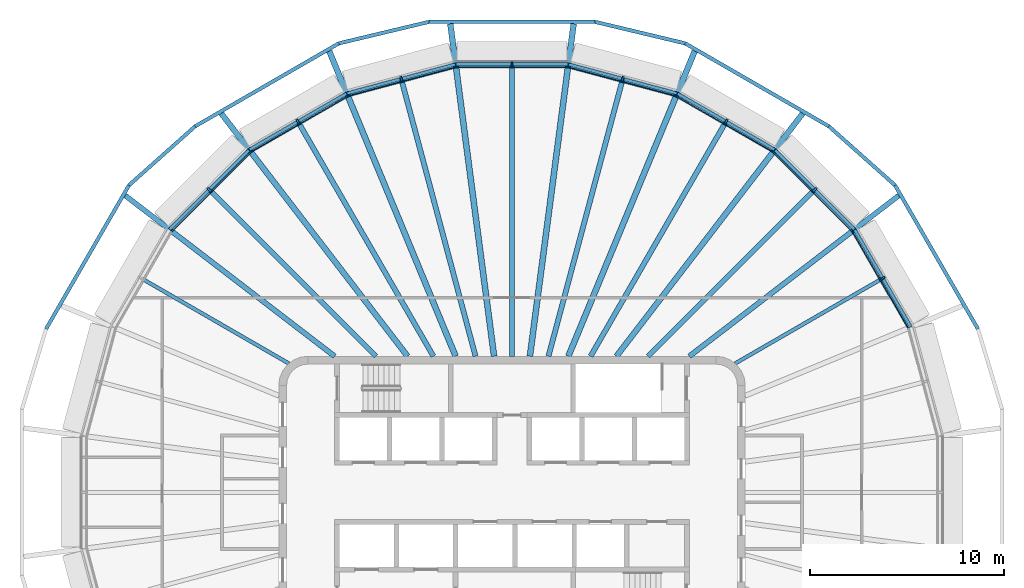
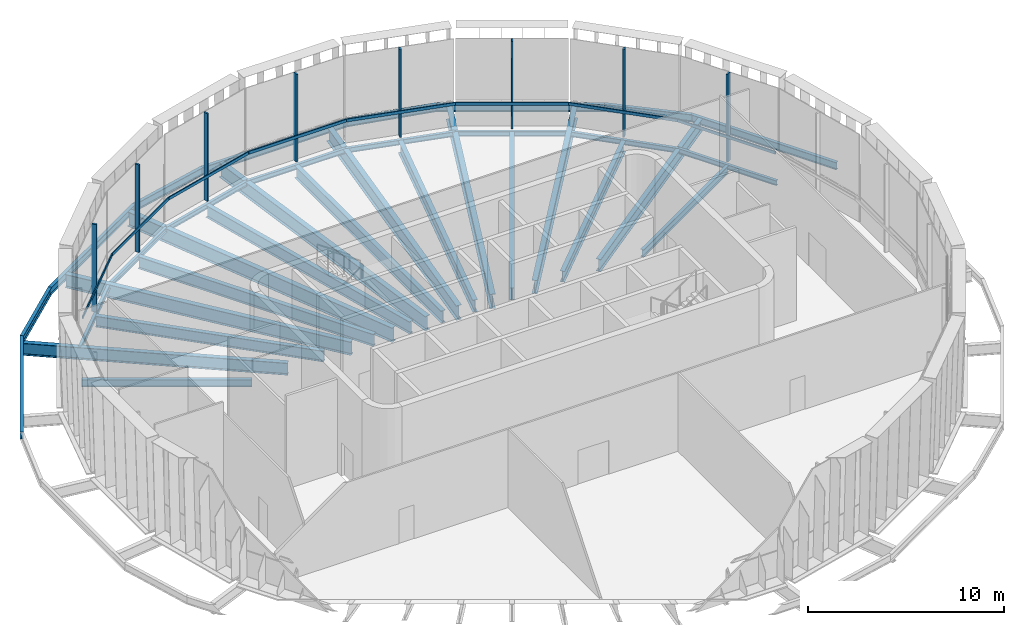
# One storey, part 4 of 14: 34 beams, 16 members, 8 elements without a shape of their own.
"""IFC4 building model written with IfcOpenShell, lengths in metres."""

from ifc_helpers import new_model, si_unit, direction, frame, origin, origin_2d, place, context, subcontext, project, spatial, rectangle, i_section, extrude, material, layer, layer_set, material_profile, profile_set, type_object, element, aggregate, save


model = new_model("IFC4")

# Units and contexts
model_context = context("Model", 3, precision=1e-05, world=origin(), true_north=direction((0.0, 1.0)))
body_context = subcontext(model_context, "Body", "Model", "MODEL_VIEW")
ifc_project = project(units=[si_unit("LENGTHUNIT", "METRE"), si_unit("AREAUNIT", "SQUARE_METRE"), si_unit("VOLUMEUNIT", "CUBIC_METRE"), si_unit("PLANEANGLEUNIT", "RADIAN"), si_unit("MASSUNIT", "GRAM", prefix="KILO")], contexts=[model_context])

# Site, building, storey
site_placement = place(None, origin())
site = spatial("IfcSite", under=ifc_project, at=site_placement, CompositionType="ELEMENT")
building_placement = place(site_placement, origin())
building = spatial("IfcBuilding", under=site, at=building_placement, Name="Sahrelin Media Tower", CompositionType="ELEMENT")
storey_placement = place(building_placement, frame((0.0, 0.0, 329.800048828125)))
storey = spatial("IfcBuildingStorey", under=building, at=storey_placement, Name="L73", CompositionType="ELEMENT", Elevation=329.800048828125)

# Beams
ifc_material_1 = material(Name="Steel S355", Category="steel")
ifc_material_profile_1 = material_profile(ifc_material_1, i_section(OverallWidth=0.1650390625, OverallDepth=0.303466796875, WebThickness=0.006103515625, FlangeThickness=0.01025390625, FilletRadius=0.0087890625, at=origin_2d()), Name="UB 305x165x40")
ifc_profile_set_1 = profile_set([ifc_material_profile_1], Name="Steel S355")
beam_type_1 = type_object("IfcBeamType", Name="Edge beam EB2", PredefinedType="BEAM", material=ifc_profile_set_1)
beam_1_placement = place(storey_placement, frame((-17.61083984375, 13.531494140625, -0.351806640625), z_axis=(0.707106781187, 0.707106781187, 0.0), x_axis=(-0.707106781187, 0.707106781187, 0.0)))
element("IfcBeam", 1, at=beam_1_placement, inside=storey, type_object=beam_type_1, Name="Edge beam L73-16", PredefinedType="BEAM", context=body_context, shape_type="SweptSolid", body=[
    extrude(i_section(OverallWidth=0.1650390625, OverallDepth=0.303466796875, WebThickness=0.006103515625, FlangeThickness=0.01025390625, FilletRadius=0.0087890625, at=origin_2d()), origin(), (0.0, 0.0, 1.0), 5.76904296875),
])
beam_2_placement = place(storey_placement, frame((-13.508544921875, 17.62841796875, -0.351806640625), z_axis=(0.866034075723, 0.499984979461, 0.0), x_axis=(-0.499984979461, 0.866034075723, 0.0)))
element("IfcBeam", 2, at=beam_2_placement, inside=storey, type_object=beam_type_1, Name="Edge beam L73-17", PredefinedType="BEAM", context=body_context, shape_type="SweptSolid", body=[
    extrude(i_section(OverallWidth=0.1650390625, OverallDepth=0.303466796875, WebThickness=0.006103515625, FlangeThickness=0.01025390625, FilletRadius=0.0087890625, at=origin_2d()), origin(), (0.0, 0.0, 1.0), 5.769287109375),
])
for number, where, z_axis, x_axis, name in (
    (3, (-8.485595703125, 20.52392578125, -0.351806640625), (0.965925194861, 0.258821401611, 0.0), (-0.258821401611, 0.965925194861, 0.0), "Edge beam L73-18"),
    (4, (-2.884521484375, 22.020751953125, -0.351806640625), (1.0, 0.0, 0.0), (0.0, 1.0, 0.0), "Edge beam L73-19"),
    (5, (2.9130859375, 22.01708984375, -0.351806640625), (0.965925194861, -0.258821401611, 0.0), (0.258821401611, 0.965925194861, 0.0), "Edge beam L73-20"),
):
    element("IfcBeam", number, at=place(storey_placement, frame(where, z_axis=z_axis, x_axis=x_axis)), inside=storey, type_object=beam_type_1, Name=name, PredefinedType="BEAM", context=body_context, shape_type="SweptSolid", body=[
        extrude(i_section(OverallWidth=0.1650390625, OverallDepth=0.303466796875, WebThickness=0.006103515625, FlangeThickness=0.01025390625, FilletRadius=0.0087890625, at=origin_2d()), origin(), (0.0, 0.0, 1.0), 5.76904296875),
    ])
beam_3_placement = place(storey_placement, frame((8.51220703125, 20.512939453125, -0.351806640625), z_axis=(0.866034075723, -0.499984979461, 0.0), x_axis=(0.499984979461, 0.866034075723, 0.0)))
element("IfcBeam", 6, at=beam_3_placement, inside=storey, type_object=beam_type_1, Name="Edge beam L73-21", PredefinedType="BEAM", context=body_context, shape_type="SweptSolid", body=[
    extrude(i_section(OverallWidth=0.1650390625, OverallDepth=0.303466796875, WebThickness=0.006103515625, FlangeThickness=0.01025390625, FilletRadius=0.0087890625, at=origin_2d()), origin(), (0.0, 0.0, 1.0), 5.769287109375),
])
beam_4_placement = place(storey_placement, frame((13.531494140625, 17.61083984375, -0.351806640625), z_axis=(0.707106781187, -0.707106781187, 0.0), x_axis=(0.707106781187, 0.707106781187, 0.0)))
element("IfcBeam", 7, at=beam_4_placement, inside=storey, type_object=beam_type_1, Name="Edge beam L73-22", PredefinedType="BEAM", context=body_context, shape_type="SweptSolid", body=[
    extrude(i_section(OverallWidth=0.1650390625, OverallDepth=0.303466796875, WebThickness=0.006103515625, FlangeThickness=0.01025390625, FilletRadius=0.0087890625, at=origin_2d()), origin(), (0.0, 0.0, 1.0), 5.76904296875),
])
beam_5_placement = place(storey_placement, frame((17.62841796875, 13.508544921875, -0.351806640625), z_axis=(0.499984979461, -0.866034075723, 0.0), x_axis=(0.866034075723, 0.499984979461, 0.0)))
element("IfcBeam", 8, at=beam_5_placement, inside=storey, type_object=beam_type_1, Name="Edge beam L73-23", PredefinedType="BEAM", context=body_context, shape_type="SweptSolid", body=[
    extrude(i_section(OverallWidth=0.1650390625, OverallDepth=0.303466796875, WebThickness=0.006103515625, FlangeThickness=0.01025390625, FilletRadius=0.0087890625, at=origin_2d()), origin(), (0.0, 0.0, 1.0), 5.769287109375),
])

# Curtain wall, member
ifc_material_2 = material(Name="Champagne anodised aluminium 6063-T6", Category="aluminium")
ifc_layer = layer(ifc_material_2, 0.14990234375)
ifc_layer_set = layer_set([ifc_layer], Name="Observation curtain wall")
curtain_wall_type = type_object("IfcCurtainWallType", Name="Observation curtain wall", PredefinedType="NOTDEFINED", material=ifc_layer_set)
curtain_wall_1_placement = place(storey_placement, frame((19.200439453125, 11.08544921875, 0.0), z_axis=(0.0, 0.0, 1.0), x_axis=(1.0, 0.0, 0.0)))
curtain_wall_1 = element("IfcCurtainWall", 9, at=curtain_wall_1_placement, inside=storey, type_object=curtain_wall_type, Name="L73:CW:L73-02", PredefinedType="NOTDEFINED")
ifc_material_profile_2 = material_profile(ifc_material_2, rectangle(XDim=0.10009765625, YDim=0.25, at=origin_2d()), Name="Mullion 100x250")
ifc_profile_set_2 = profile_set([ifc_material_profile_2], Name="Champagne anodised aluminium 6063-T6")
member_type_1 = type_object("IfcMemberType", Name="Mullion 100x250 CW3B", PredefinedType="MULLION", material=ifc_profile_set_2)
member_1_placement = place(storey_placement, frame((19.074951171875, 11.012939453125, 0.0), z_axis=(0.0, 0.0, 1.0), x_axis=(-0.49999395399, 0.866028894422, 0.0)))
member_1 = element("IfcMember", 10, at=member_1_placement, type_object=member_type_1, Name="L73:CWM:L73-02", PredefinedType="MULLION", context=body_context, shape_type="SweptSolid", body=[
    extrude(rectangle(XDim=0.10009765625, YDim=0.25, at=origin_2d()), origin(), (0.0, 0.0, 1.0), 5.448486328125),
])

curtain_wall_2_placement = place(storey_placement, frame((15.67724609375, 15.67724609375, 0.0), z_axis=(0.0, 0.0, 1.0), x_axis=(1.0, 0.0, 0.0)))
curtain_wall_2 = element("IfcCurtainWall", 11, at=curtain_wall_2_placement, inside=storey, type_object=curtain_wall_type, Name="L73:CW:L73-03", PredefinedType="NOTDEFINED")
member_2_placement = place(storey_placement, frame((15.57470703125, 15.57470703125, 0.0), z_axis=(0.0, 0.0, 1.0), x_axis=(-0.707106781187, 0.707106781187, 0.0)))
member_2 = element("IfcMember", 12, at=member_2_placement, type_object=member_type_1, Name="L73:CWM:L73-03", PredefinedType="MULLION", context=body_context, shape_type="SweptSolid", body=[
    extrude(rectangle(XDim=0.10009765625, YDim=0.25, at=origin_2d()), origin(), (0.0, 0.0, 1.0), 5.448486328125),
])

curtain_wall_3_placement = place(storey_placement, frame((11.08544921875, 19.200439453125, 0.0), z_axis=(0.0, 0.0, 1.0), x_axis=(1.0, 0.0, 0.0)))
curtain_wall_3 = element("IfcCurtainWall", 13, at=curtain_wall_3_placement, inside=storey, type_object=curtain_wall_type, Name="L73:CW:L73-04", PredefinedType="NOTDEFINED")
member_3_placement = place(storey_placement, frame((11.012939453125, 19.074951171875, 0.0), z_axis=(0.0, 0.0, 1.0), x_axis=(-0.866028894422, 0.49999395399, 0.0)))
member_3 = element("IfcMember", 14, at=member_3_placement, type_object=member_type_1, Name="L73:CWM:L73-04", PredefinedType="MULLION", context=body_context, shape_type="SweptSolid", body=[
    extrude(rectangle(XDim=0.10009765625, YDim=0.25, at=origin_2d()), origin(), (0.0, 0.0, 1.0), 5.448486328125),
])

curtain_wall_4_placement = place(storey_placement, frame((5.73828125, 21.415283203125, 0.0), z_axis=(0.0, 0.0, 1.0), x_axis=(1.0, 0.0, 0.0)))
curtain_wall_4 = element("IfcCurtainWall", 15, at=curtain_wall_4_placement, inside=storey, type_object=curtain_wall_type, Name="L73:CW:L73-05", PredefinedType="NOTDEFINED")
member_4_placement = place(storey_placement, frame((5.70068359375, 21.275390625, 0.0), z_axis=(0.0, 0.0, 1.0), x_axis=(-0.965926278012, 0.258817359244, 0.0)))
member_4 = element("IfcMember", 16, at=member_4_placement, type_object=member_type_1, Name="L73:CWM:L73-05", PredefinedType="MULLION", context=body_context, shape_type="SweptSolid", body=[
    extrude(rectangle(XDim=0.10009765625, YDim=0.25, at=origin_2d()), origin(), (0.0, 0.0, 1.0), 5.448486328125),
])

curtain_wall_5_placement = place(storey_placement, frame((0.0, 22.1708984375, 0.0), z_axis=(0.0, 0.0, 1.0), x_axis=(1.0, 0.0, 0.0)))
curtain_wall_5 = element("IfcCurtainWall", 17, at=curtain_wall_5_placement, inside=storey, type_object=curtain_wall_type, Name="L73:CW:L73-06", PredefinedType="NOTDEFINED")
member_5_placement = place(storey_placement, frame((0.0, 22.02587890625, 0.0), z_axis=(0.0, 0.0, 1.0), x_axis=(-1.0, 0.0, 0.0)))
member_5 = element("IfcMember", 18, at=member_5_placement, type_object=member_type_1, Name="L73:CWM:L73-06", PredefinedType="MULLION", context=body_context, shape_type="SweptSolid", body=[
    extrude(rectangle(XDim=0.10009765625, YDim=0.25, at=origin_2d()), origin(), (0.0, 0.0, 1.0), 5.448486328125),
])

curtain_wall_6_placement = place(storey_placement, frame((-5.73828125, 21.415283203125, 0.0), z_axis=(0.0, 0.0, 1.0), x_axis=(1.0, 0.0, 0.0)))
curtain_wall_6 = element("IfcCurtainWall", 19, at=curtain_wall_6_placement, inside=storey, type_object=curtain_wall_type, Name="L73:CW:L73-07", PredefinedType="NOTDEFINED")
member_6_placement = place(storey_placement, frame((-5.70068359375, 21.275390625, 0.0), z_axis=(0.0, 0.0, 1.0), x_axis=(-0.965926278012, -0.258817359244, 0.0)))
member_6 = element("IfcMember", 20, at=member_6_placement, type_object=member_type_1, Name="L73:CWM:L73-07", PredefinedType="MULLION", context=body_context, shape_type="SweptSolid", body=[
    extrude(rectangle(XDim=0.10009765625, YDim=0.25, at=origin_2d()), origin(), (0.0, 0.0, 1.0), 5.448486328125),
])

curtain_wall_7_placement = place(storey_placement, frame((-11.08544921875, 19.200439453125, 0.0), z_axis=(0.0, 0.0, 1.0), x_axis=(1.0, 0.0, 0.0)))
curtain_wall_7 = element("IfcCurtainWall", 21, at=curtain_wall_7_placement, inside=storey, type_object=curtain_wall_type, Name="L73:CW:L73-08", PredefinedType="NOTDEFINED")
member_7_placement = place(storey_placement, frame((-11.012939453125, 19.074951171875, 0.0), z_axis=(0.0, 0.0, 1.0), x_axis=(-0.866028894422, -0.49999395399, 0.0)))
member_7 = element("IfcMember", 22, at=member_7_placement, type_object=member_type_1, Name="L73:CWM:L73-08", PredefinedType="MULLION", context=body_context, shape_type="SweptSolid", body=[
    extrude(rectangle(XDim=0.10009765625, YDim=0.25, at=origin_2d()), origin(), (0.0, 0.0, 1.0), 5.448486328125),
])

curtain_wall_8_placement = place(storey_placement, frame((-15.677001953125, 15.677001953125, 0.0), z_axis=(0.0, 0.0, 1.0), x_axis=(1.0, 0.0, 0.0)))
curtain_wall_8 = element("IfcCurtainWall", 23, at=curtain_wall_8_placement, inside=storey, type_object=curtain_wall_type, Name="L73:CW:L73-09", PredefinedType="NOTDEFINED")
member_8_placement = place(storey_placement, frame((-15.57470703125, 15.57470703125, 0.0), z_axis=(0.0, 0.0, 1.0), x_axis=(-0.707106781187, -0.707106781187, 0.0)))
member_8 = element("IfcMember", 24, at=member_8_placement, type_object=member_type_1, Name="L73:CWM:L73-09", PredefinedType="MULLION", context=body_context, shape_type="SweptSolid", body=[
    extrude(rectangle(XDim=0.10009765625, YDim=0.25, at=origin_2d()), origin(), (0.0, 0.0, 1.0), 5.448486328125),
])

# Beams
ifc_material_profile_3 = material_profile(ifc_material_1, i_section(OverallWidth=0.291748046875, OverallDepth=0.8349609375, WebThickness=0.013916015625, FlangeThickness=0.018798828125, FilletRadius=0.017822265625, at=origin_2d()), Name="UB 838x292x176")
ifc_profile_set_3 = profile_set([ifc_material_profile_3], Name="Steel S355")
beam_type_2 = type_object("IfcBeamType", Name="Radial primary beam PB10", PredefinedType="BEAM", material=ifc_profile_set_3)
for number, where, z_axis, x_axis, name in (
    (25, (5.371337890625, 7.0, -0.617431640625), (0.60875594027, 0.793357551919, 0.0), (-0.793357551919, 0.60875594027, 0.0), "Radial beam L73-04"),
    (26, (-5.371337890625, 7.0, -0.617431640625), (-0.60875594027, 0.793357551919, 0.0), (-0.793357551919, -0.60875594027, 0.0), "Radial beam L73-09"),
):
    element("IfcBeam", number, at=place(storey_placement, frame(where, z_axis=z_axis, x_axis=x_axis)), inside=storey, type_object=beam_type_2, Name=name, PredefinedType="BEAM", context=body_context, shape_type="SweptSolid", body=[
        extrude(i_section(OverallWidth=0.291748046875, OverallDepth=0.8349609375, WebThickness=0.013916015625, FlangeThickness=0.018798828125, FilletRadius=0.017822265625, at=origin_2d()), origin(), (0.0, 0.0, 1.0), 15.75),
    ])
ifc_material_profile_4 = material_profile(ifc_material_1, i_section(OverallWidth=0.30322265625, OverallDepth=0.903076171875, WebThickness=0.01513671875, FlangeThickness=0.020263671875, FilletRadius=0.01904296875, at=origin_2d()), Name="UB 914x305x201")
ifc_profile_set_4 = profile_set([ifc_material_profile_4], Name="Steel S355")
beam_type_3 = type_object("IfcBeamType", Name="Radial primary beam PB11", PredefinedType="BEAM", material=ifc_profile_set_4)
beam_6_placement = place(storey_placement, frame((2.8994140625, 7.0, -0.651611328125), z_axis=(0.382685858482, 0.923878527577, 0.0), x_axis=(-0.923878527577, 0.382685858482, 0.0)))
element("IfcBeam", 27, at=beam_6_placement, inside=storey, type_object=beam_type_3, Name="Radial beam L73-05", PredefinedType="BEAM", context=body_context, shape_type="SweptSolid", body=[
    extrude(i_section(OverallWidth=0.30322265625, OverallDepth=0.903076171875, WebThickness=0.01513671875, FlangeThickness=0.020263671875, FilletRadius=0.01904296875, at=origin_2d()), origin(), (0.0, 0.0, 1.0), 16.99658203125),
])
for number, where, z_axis, x_axis, name in (
    (28, (0.921630859375, 7.0, -0.651611328125), (0.130517821133, 0.991445963412, 0.0), (-0.991445963412, 0.130517821133, 0.0), "Radial beam L73-06"),
    (29, (-0.921630859375, 7.0, -0.651611328125), (-0.130517821133, 0.991445963412, 0.0), (-0.991445963412, -0.130517821133, 0.0), "Radial beam L73-07"),
):
    element("IfcBeam", number, at=place(storey_placement, frame(where, z_axis=z_axis, x_axis=x_axis)), inside=storey, type_object=beam_type_3, Name=name, PredefinedType="BEAM", context=body_context, shape_type="SweptSolid", body=[
        extrude(i_section(OverallWidth=0.30322265625, OverallDepth=0.903076171875, WebThickness=0.01513671875, FlangeThickness=0.020263671875, FilletRadius=0.01904296875, at=origin_2d()), origin(), (0.0, 0.0, 1.0), 17.2578125),
    ])
beam_7_placement = place(storey_placement, frame((-2.8994140625, 7.0, -0.651611328125), z_axis=(-0.382685858482, 0.923878527577, 0.0), x_axis=(-0.923878527577, -0.382685858482, 0.0)))
element("IfcBeam", 30, at=beam_7_placement, inside=storey, type_object=beam_type_3, Name="Radial beam L73-08", PredefinedType="BEAM", context=body_context, shape_type="SweptSolid", body=[
    extrude(i_section(OverallWidth=0.30322265625, OverallDepth=0.903076171875, WebThickness=0.01513671875, FlangeThickness=0.020263671875, FilletRadius=0.01904296875, at=origin_2d()), origin(), (0.0, 0.0, 1.0), 16.99658203125),
])
ifc_material_profile_5 = material_profile(ifc_material_1, i_section(OverallWidth=0.26513671875, OverallDepth=0.75390625, WebThickness=0.0126953125, FlangeThickness=0.017578125, FilletRadius=0.0166015625, at=origin_2d()), Name="UB 762x267x147")
ifc_profile_set_5 = profile_set([ifc_material_profile_5], Name="Steel S355")
beam_type_4 = type_object("IfcBeamType", Name="Radial primary beam PB9", PredefinedType="BEAM", material=ifc_profile_set_5)
for number, where, z_axis, x_axis, name in (
    (31, (9.12255859375, 7.0, -0.5771484375), (0.793356961432, 0.608756709817, 0.0), (-0.608756709817, 0.793356961432, 0.0), "Radial beam L73-03"),
    (32, (-9.12255859375, 7.0, -0.5771484375), (-0.793356961432, 0.608756709817, 0.0), (-0.608756709817, -0.793356961432, 0.0), "Radial beam L73-10"),
):
    element("IfcBeam", number, at=place(storey_placement, frame(where, z_axis=z_axis, x_axis=x_axis)), inside=storey, type_object=beam_type_4, Name=name, PredefinedType="BEAM", context=body_context, shape_type="SweptSolid", body=[
        extrude(i_section(OverallWidth=0.26513671875, OverallDepth=0.75390625, WebThickness=0.0126953125, FlangeThickness=0.017578125, FilletRadius=0.0166015625, at=origin_2d()), origin(), (0.0, 0.0, 1.0), 13.585205078125),
    ])
ifc_material_profile_6 = material_profile(ifc_material_1, i_section(OverallWidth=0.1904296875, OverallDepth=0.45703125, WebThickness=0.009033203125, FlangeThickness=0.014404296875, FilletRadius=0.01025390625, at=origin_2d()), Name="UB 457x191x74")
ifc_profile_set_6 = profile_set([ifc_material_profile_6], Name="Steel S355")
beam_type_5 = type_object("IfcBeamType", Name="Radial secondary beam SB5", PredefinedType="BEAM", material=ifc_profile_set_6)
for number, where, z_axis, x_axis, name in (
    (33, (11.47607421875, 6.625732421875, -0.428466796875), (0.866038163853, 0.499977898262, 0.0), (-0.499977898262, 0.866038163853, 0.0), "Secondary beam L73-02"),
    (34, (-11.47607421875, 6.625732421875, -0.428466796875), (-0.866038163853, 0.499977898262, 0.0), (-0.499977898262, -0.866038163853, 0.0), "Secondary beam L73-10"),
):
    element("IfcBeam", number, at=place(storey_placement, frame(where, z_axis=z_axis, x_axis=x_axis)), inside=storey, type_object=beam_type_5, Name=name, PredefinedType="BEAM", context=body_context, shape_type="SweptSolid", body=[
        extrude(i_section(OverallWidth=0.1904296875, OverallDepth=0.45703125, WebThickness=0.009033203125, FlangeThickness=0.014404296875, FilletRadius=0.01025390625, at=origin_2d()), origin(), (0.0, 0.0, 1.0), 8.68701171875),
    ])
ifc_material_profile_7 = material_profile(ifc_material_1, i_section(OverallWidth=0.2529296875, OverallDepth=0.677978515625, WebThickness=0.01171875, FlangeThickness=0.01611328125, FilletRadius=0.01513671875, at=origin_2d()), Name="UB 686x254x125")
ifc_profile_set_7 = profile_set([ifc_material_profile_7], Name="Steel S355")
beam_type_6 = type_object("IfcBeamType", Name="Radial secondary beam SB8", PredefinedType="BEAM", material=ifc_profile_set_7)
for number, where, z_axis, x_axis, name in (
    (35, (7.0, 7.0, -0.5390625), (0.707106781187, 0.707106781187, 0.0), (-0.707106781187, 0.707106781187, 0.0), "Secondary beam L73-03"),
    (36, (-7.0, 7.0, -0.5390625), (-0.707106781187, 0.707106781187, 0.0), (-0.707106781187, -0.707106781187, 0.0), "Secondary beam L73-09"),
):
    element("IfcBeam", number, at=place(storey_placement, frame(where, z_axis=z_axis, x_axis=x_axis)), inside=storey, type_object=beam_type_6, Name=name, PredefinedType="BEAM", context=body_context, shape_type="SweptSolid", body=[
        extrude(i_section(OverallWidth=0.2529296875, OverallDepth=0.677978515625, WebThickness=0.01171875, FlangeThickness=0.01611328125, FilletRadius=0.01513671875, at=origin_2d()), origin(), (0.0, 0.0, 1.0), 12.038818359375),
    ])
ifc_material_profile_8 = material_profile(ifc_material_1, i_section(OverallWidth=0.26513671875, OverallDepth=0.75390625, WebThickness=0.0126953125, FlangeThickness=0.017578125, FilletRadius=0.0166015625, at=origin_2d()), Name="UB 762x267x147")
ifc_profile_set_8 = profile_set([ifc_material_profile_8], Name="Steel S355")
beam_type_7 = type_object("IfcBeamType", Name="Radial secondary beam SB9", PredefinedType="BEAM", material=ifc_profile_set_8)
beam_8_placement = place(storey_placement, frame((4.04150390625, 7.0, -0.5771484375), z_axis=(0.499984294943, 0.866034470913, 0.0), x_axis=(-0.866034470913, 0.499984294943, 0.0)))
element("IfcBeam", 37, at=beam_8_placement, inside=storey, type_object=beam_type_7, Name="Secondary beam L73-04", PredefinedType="BEAM", context=body_context, shape_type="SweptSolid", body=[
    extrude(i_section(OverallWidth=0.26513671875, OverallDepth=0.75390625, WebThickness=0.0126953125, FlangeThickness=0.017578125, FilletRadius=0.0166015625, at=origin_2d()), origin(), (0.0, 0.0, 1.0), 13.85546875),
])
beam_9_placement = place(storey_placement, frame((1.87548828125, 7.0, -0.5771484375), z_axis=(0.258821917185, 0.965925056712, 0.0), x_axis=(-0.965925056712, 0.258821917185, 0.0)))
element("IfcBeam", 38, at=beam_9_placement, inside=storey, type_object=beam_type_7, Name="Secondary beam L73-05", PredefinedType="BEAM", context=body_context, shape_type="SweptSolid", body=[
    extrude(i_section(OverallWidth=0.26513671875, OverallDepth=0.75390625, WebThickness=0.0126953125, FlangeThickness=0.017578125, FilletRadius=0.0166015625, at=origin_2d()), origin(), (0.0, 0.0, 1.0), 14.691650390625),
])
beam_10_placement = place(storey_placement, frame((0.0, 7.0, -0.5771484375), z_axis=(0.0, 1.0, 0.0), x_axis=(-1.0, 0.0, 0.0)))
element("IfcBeam", 39, at=beam_10_placement, inside=storey, type_object=beam_type_7, Name="Secondary beam L73-06", PredefinedType="BEAM", context=body_context, shape_type="SweptSolid", body=[
    extrude(i_section(OverallWidth=0.26513671875, OverallDepth=0.75390625, WebThickness=0.0126953125, FlangeThickness=0.017578125, FilletRadius=0.0166015625, at=origin_2d()), origin(), (0.0, 0.0, 1.0), 14.938232421875),
])
beam_11_placement = place(storey_placement, frame((-1.87548828125, 7.0, -0.5771484375), z_axis=(-0.258821917185, 0.965925056712, 0.0), x_axis=(-0.965925056712, -0.258821917185, 0.0)))
element("IfcBeam", 40, at=beam_11_placement, inside=storey, type_object=beam_type_7, Name="Secondary beam L73-07", PredefinedType="BEAM", context=body_context, shape_type="SweptSolid", body=[
    extrude(i_section(OverallWidth=0.26513671875, OverallDepth=0.75390625, WebThickness=0.0126953125, FlangeThickness=0.017578125, FilletRadius=0.0166015625, at=origin_2d()), origin(), (0.0, 0.0, 1.0), 14.691650390625),
])
beam_12_placement = place(storey_placement, frame((-4.04150390625, 7.0, -0.5771484375), z_axis=(-0.499984294943, 0.866034470913, 0.0), x_axis=(-0.866034470913, -0.499984294943, 0.0)))
element("IfcBeam", 41, at=beam_12_placement, inside=storey, type_object=beam_type_7, Name="Secondary beam L73-08", PredefinedType="BEAM", context=body_context, shape_type="SweptSolid", body=[
    extrude(i_section(OverallWidth=0.26513671875, OverallDepth=0.75390625, WebThickness=0.0126953125, FlangeThickness=0.017578125, FilletRadius=0.0166015625, at=origin_2d()), origin(), (0.0, 0.0, 1.0), 13.85546875),
])
ifc_material_profile_9 = material_profile(ifc_material_1, i_section(OverallWidth=0.1904296875, OverallDepth=0.45703125, WebThickness=0.009033203125, FlangeThickness=0.014404296875, FilletRadius=0.01025390625, at=origin_2d()), Name="UB 457x191x74")
ifc_profile_set_9 = profile_set([ifc_material_profile_9], Name="Steel S355")
beam_type_8 = type_object("IfcBeamType", Name="Tie chord TC5", PredefinedType="BEAM", material=ifc_profile_set_9)
beam_13_placement = place(storey_placement, frame((23.9736328125, 8.4052734375, -0.428466796875), z_axis=(-0.499992230683, 0.866029889355, 0.0), x_axis=(-0.866029889355, -0.499992230683, 0.0)))
element("IfcBeam", 42, at=beam_13_placement, inside=storey, type_object=beam_type_8, Name="Tie chord L73-02", PredefinedType="BEAM", context=body_context, shape_type="SweptSolid", body=[
    extrude(i_section(OverallWidth=0.1904296875, OverallDepth=0.45703125, WebThickness=0.009033203125, FlangeThickness=0.014404296875, FilletRadius=0.01025390625, at=origin_2d()), origin(), (0.0, 0.0, 1.0), 8.538818359375),
])
beam_14_placement = place(storey_placement, frame((19.704345703125, 15.800048828125, -0.428466796875), z_axis=(-0.746648216974, 0.665219091795, 0.0), x_axis=(-0.665219091795, -0.746648216974, 0.0)))
element("IfcBeam", 43, at=beam_14_placement, inside=storey, type_object=beam_type_8, Name="Tie chord L73-03", PredefinedType="BEAM", context=body_context, shape_type="SweptSolid", body=[
    extrude(i_section(OverallWidth=0.1904296875, OverallDepth=0.45703125, WebThickness=0.009033203125, FlangeThickness=0.014404296875, FilletRadius=0.01025390625, at=origin_2d()), origin(), (0.0, 0.0, 1.0), 4.55126953125),
])
beam_15_placement = place(storey_placement, frame((16.30615234375, 18.82763671875, -0.428466796875), z_axis=(-0.866017508599, 0.500013674614, 0.0), x_axis=(-0.500013674614, -0.866017508599, 0.0)))
element("IfcBeam", 44, at=beam_15_placement, inside=storey, type_object=beam_type_8, Name="Tie chord L73-04", PredefinedType="BEAM", context=body_context, shape_type="SweptSolid", body=[
    extrude(i_section(OverallWidth=0.1904296875, OverallDepth=0.45703125, WebThickness=0.009033203125, FlangeThickness=0.014404296875, FilletRadius=0.01025390625, at=origin_2d()), origin(), (0.0, 0.0, 1.0), 8.538818359375),
])
beam_16_placement = place(storey_placement, frame((8.911376953125, 23.09716796875, -0.428466796875), z_axis=(-0.972669374705, 0.232194503618, 0.0), x_axis=(-0.232194503618, -0.972669374705, 0.0)))
element("IfcBeam", 45, at=beam_16_placement, inside=storey, type_object=beam_type_8, Name="Tie chord L73-05", PredefinedType="BEAM", context=body_context, shape_type="SweptSolid", body=[
    extrude(i_section(OverallWidth=0.1904296875, OverallDepth=0.45703125, WebThickness=0.009033203125, FlangeThickness=0.014404296875, FilletRadius=0.01025390625, at=origin_2d()), origin(), (0.0, 0.0, 1.0), 4.7724609375),
])
beam_17_placement = place(storey_placement, frame((4.269287109375, 24.205322265625, -0.428466796875), z_axis=(-1.0, 0.0, 0.0), x_axis=(0.0, -1.0, 0.0)))
element("IfcBeam", 46, at=beam_17_placement, inside=storey, type_object=beam_type_8, Name="Tie chord L73-06", PredefinedType="BEAM", context=body_context, shape_type="SweptSolid", body=[
    extrude(i_section(OverallWidth=0.1904296875, OverallDepth=0.45703125, WebThickness=0.009033203125, FlangeThickness=0.014404296875, FilletRadius=0.01025390625, at=origin_2d()), origin(), (0.0, 0.0, 1.0), 8.53857421875),
])
beam_18_placement = place(storey_placement, frame((-4.269287109375, 24.205322265625, -0.428466796875), z_axis=(-0.972669374705, -0.232194503618, 0.0), x_axis=(0.232194503618, -0.972669374705, 0.0)))
element("IfcBeam", 47, at=beam_18_placement, inside=storey, type_object=beam_type_8, Name="Tie chord L73-07", PredefinedType="BEAM", context=body_context, shape_type="SweptSolid", body=[
    extrude(i_section(OverallWidth=0.1904296875, OverallDepth=0.45703125, WebThickness=0.009033203125, FlangeThickness=0.014404296875, FilletRadius=0.01025390625, at=origin_2d()), origin(), (0.0, 0.0, 1.0), 4.7724609375),
])
beam_19_placement = place(storey_placement, frame((-8.911376953125, 23.09716796875, -0.428466796875), z_axis=(-0.866017508599, -0.500013674614, 0.0), x_axis=(0.500013674614, -0.866017508599, 0.0)))
element("IfcBeam", 48, at=beam_19_placement, inside=storey, type_object=beam_type_8, Name="Tie chord L73-08", PredefinedType="BEAM", context=body_context, shape_type="SweptSolid", body=[
    extrude(i_section(OverallWidth=0.1904296875, OverallDepth=0.45703125, WebThickness=0.009033203125, FlangeThickness=0.014404296875, FilletRadius=0.01025390625, at=origin_2d()), origin(), (0.0, 0.0, 1.0), 8.538818359375),
])
beam_20_placement = place(storey_placement, frame((-16.30615234375, 18.82763671875, -0.428466796875), z_axis=(-0.746648216974, -0.665219091795, 0.0), x_axis=(0.665219091795, -0.746648216974, 0.0)))
element("IfcBeam", 49, at=beam_20_placement, inside=storey, type_object=beam_type_8, Name="Tie chord L73-09", PredefinedType="BEAM", context=body_context, shape_type="SweptSolid", body=[
    extrude(i_section(OverallWidth=0.1904296875, OverallDepth=0.45703125, WebThickness=0.009033203125, FlangeThickness=0.014404296875, FilletRadius=0.01025390625, at=origin_2d()), origin(), (0.0, 0.0, 1.0), 4.55126953125),
])
beam_21_placement = place(storey_placement, frame((-19.704345703125, 15.800048828125, -0.428466796875), z_axis=(-0.499992230683, -0.866029889355, 0.0), x_axis=(0.866029889355, -0.499992230683, 0.0)))
element("IfcBeam", 50, at=beam_21_placement, inside=storey, type_object=beam_type_8, Name="Tie chord L73-10", PredefinedType="BEAM", context=body_context, shape_type="SweptSolid", body=[
    extrude(i_section(OverallWidth=0.1904296875, OverallDepth=0.45703125, WebThickness=0.009033203125, FlangeThickness=0.014404296875, FilletRadius=0.01025390625, at=origin_2d()), origin(), (0.0, 0.0, 1.0), 8.538818359375),
])

# Member
ifc_material_profile_10 = material_profile(ifc_material_2, rectangle(XDim=0.06005859375, YDim=0.179931640625, at=origin_2d()), Name="Transom 60x180")
ifc_profile_set_10 = profile_set([ifc_material_profile_10], Name="Champagne anodised aluminium 6063-T6")
member_type_2 = type_object("IfcMemberType", Name="Transom 60x180 CW3B", PredefinedType="USERDEFINED", material=ifc_profile_set_10)
member_9_placement = place(storey_placement, frame((20.375, 8.450927734375, 1.599853515625), z_axis=(-0.49997414913, 0.866040328277, 0.0), x_axis=(-0.866040328277, -0.49997414913, 0.0)))
member_9 = element("IfcMember", 51, at=member_9_placement, type_object=member_type_2, Name="L73:CWT:L73-02", ObjectType="TRANSOM", PredefinedType="USERDEFINED", context=body_context, shape_type="SweptSolid", body=[
    extrude(rectangle(XDim=0.06005859375, YDim=0.179931640625, at=origin_2d()), origin(), (0.0, 0.0, 1.0), 5.737548828125),
])

aggregate(curtain_wall_1, [member_1, member_9])

member_10_placement = place(storey_placement, frame((17.49365234375, 13.436279296875, 1.599853515625), z_axis=(-0.707106781187, 0.707106781187, 0.0), x_axis=(-0.707106781187, -0.707106781187, 0.0)))
member_10 = element("IfcMember", 52, at=member_10_placement, type_object=member_type_2, Name="L73:CWT:L73-03", ObjectType="TRANSOM", PredefinedType="USERDEFINED", context=body_context, shape_type="SweptSolid", body=[
    extrude(rectangle(XDim=0.06005859375, YDim=0.179931640625, at=origin_2d()), origin(), (0.0, 0.0, 1.0), 5.738037109375),
])

aggregate(curtain_wall_2, [member_2, member_10])

member_11_placement = place(storey_placement, frame((13.419921875, 17.50634765625, 1.599853515625), z_axis=(-0.866040328277, 0.49997414913, 0.0), x_axis=(-0.49997414913, -0.866040328277, 0.0)))
member_11 = element("IfcMember", 53, at=member_11_placement, type_object=member_type_2, Name="L73:CWT:L73-04", ObjectType="TRANSOM", PredefinedType="USERDEFINED", context=body_context, shape_type="SweptSolid", body=[
    extrude(rectangle(XDim=0.06005859375, YDim=0.179931640625, at=origin_2d()), origin(), (0.0, 0.0, 1.0), 5.737548828125),
])

aggregate(curtain_wall_3, [member_3, member_11])

member_12_placement = place(storey_placement, frame((8.431640625, 20.383056640625, 1.599853515625), z_axis=(-0.96592279048, 0.258830374631, 0.0), x_axis=(-0.258830374631, -0.96592279048, 0.0)))
member_12 = element("IfcMember", 54, at=member_12_placement, type_object=member_type_2, Name="L73:CWT:L73-05", ObjectType="TRANSOM", PredefinedType="USERDEFINED", context=body_context, shape_type="SweptSolid", body=[
    extrude(rectangle(XDim=0.06005859375, YDim=0.179931640625, at=origin_2d()), origin(), (0.0, 0.0, 1.0), 5.73779296875),
])

aggregate(curtain_wall_4, [member_4, member_12])

member_13_placement = place(storey_placement, frame((2.868896484375, 21.870849609375, 1.599853515625), z_axis=(-1.0, 0.0, 0.0), x_axis=(0.0, -1.0, 0.0)))
member_13 = element("IfcMember", 55, at=member_13_placement, type_object=member_type_2, Name="L73:CWT:L73-06", ObjectType="TRANSOM", PredefinedType="USERDEFINED", context=body_context, shape_type="SweptSolid", body=[
    extrude(rectangle(XDim=0.06005859375, YDim=0.179931640625, at=origin_2d()), origin(), (0.0, 0.0, 1.0), 5.73779296875),
])

aggregate(curtain_wall_5, [member_5, member_13])

member_14_placement = place(storey_placement, frame((-2.889404296875, 21.8681640625, 1.599853515625), z_axis=(-0.96592279048, -0.258830374631, 0.0), x_axis=(0.258830374631, -0.96592279048, 0.0)))
member_14 = element("IfcMember", 56, at=member_14_placement, type_object=member_type_2, Name="L73:CWT:L73-07", ObjectType="TRANSOM", PredefinedType="USERDEFINED", context=body_context, shape_type="SweptSolid", body=[
    extrude(rectangle(XDim=0.06005859375, YDim=0.179931640625, at=origin_2d()), origin(), (0.0, 0.0, 1.0), 5.73779296875),
])

aggregate(curtain_wall_6, [member_6, member_14])

member_15_placement = place(storey_placement, frame((-8.450927734375, 20.375, 1.599853515625), z_axis=(-0.866040328277, -0.49997414913, 0.0), x_axis=(0.49997414913, -0.866040328277, 0.0)))
member_15 = element("IfcMember", 57, at=member_15_placement, type_object=member_type_2, Name="L73:CWT:L73-08", ObjectType="TRANSOM", PredefinedType="USERDEFINED", context=body_context, shape_type="SweptSolid", body=[
    extrude(rectangle(XDim=0.06005859375, YDim=0.179931640625, at=origin_2d()), origin(), (0.0, 0.0, 1.0), 5.737548828125),
])

aggregate(curtain_wall_7, [member_7, member_15])

member_16_placement = place(storey_placement, frame((-13.436279296875, 17.49365234375, 1.599853515625), z_axis=(-0.707106781187, -0.707106781187, 0.0), x_axis=(0.707106781187, -0.707106781187, 0.0)))
member_16 = element("IfcMember", 58, at=member_16_placement, type_object=member_type_2, Name="L73:CWT:L73-09", ObjectType="TRANSOM", PredefinedType="USERDEFINED", context=body_context, shape_type="SweptSolid", body=[
    extrude(rectangle(XDim=0.06005859375, YDim=0.179931640625, at=origin_2d()), origin(), (0.0, 0.0, 1.0), 5.738037109375),
])

aggregate(curtain_wall_8, [member_8, member_16])

save(model, "model.ifc")
